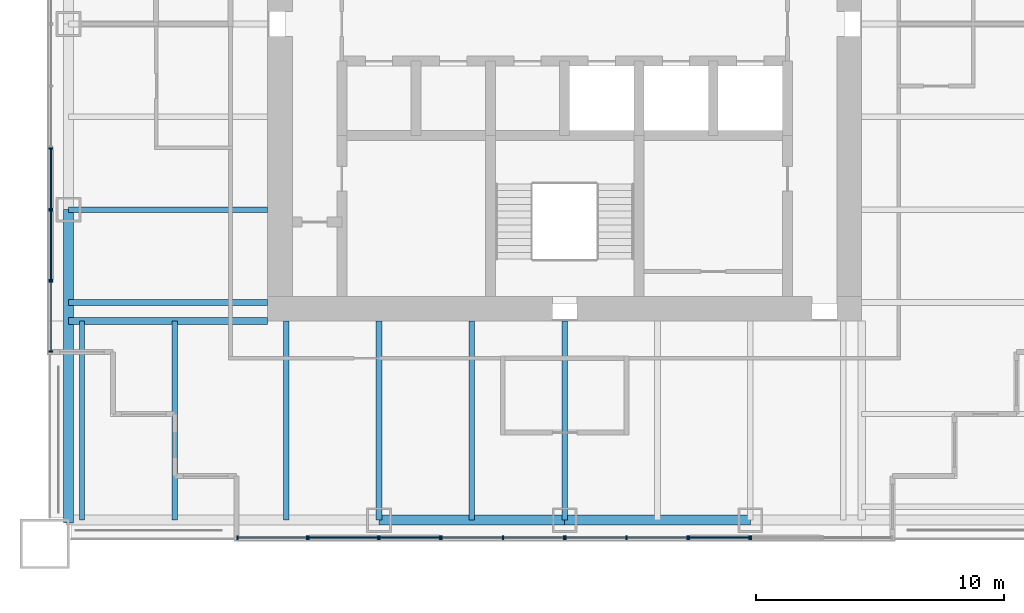
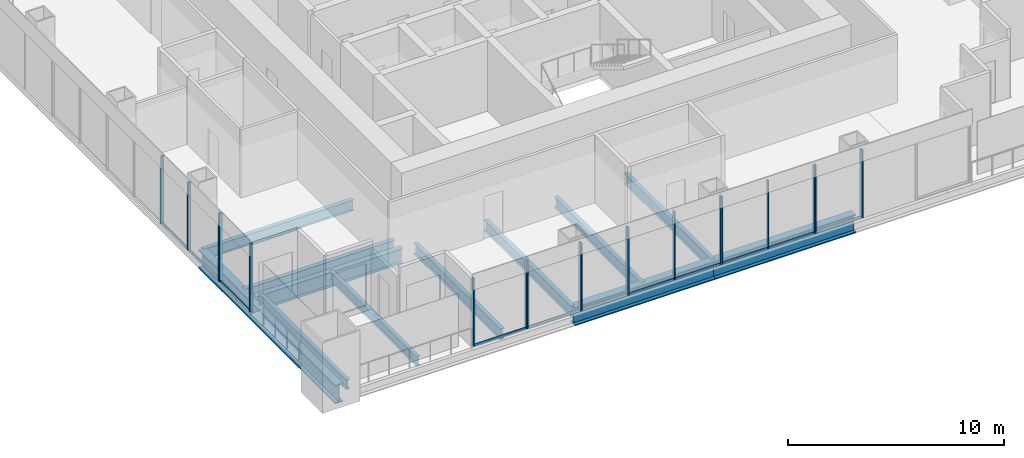
# One storey, part 2 of 14: 32 members, 12 beams, 10 elements without a shape of their own.
"""IFC4 building model written with IfcOpenShell, lengths in metres."""

from ifc_helpers import new_model, si_unit, direction, frame, origin, origin_2d, place, context, subcontext, project, spatial, rectangle, i_section, extrude, material, material_profile, profile_set, type_object, element, aggregate, save


model = new_model("IFC4")

# Units and contexts
model_context = context("Model", 3, precision=1e-05, world=origin(), true_north=direction((0.0, 1.0)))
body_context = subcontext(model_context, "Body", "Model", "MODEL_VIEW")
ifc_project = project(units=[si_unit("LENGTHUNIT", "METRE"), si_unit("AREAUNIT", "SQUARE_METRE"), si_unit("VOLUMEUNIT", "CUBIC_METRE"), si_unit("PLANEANGLEUNIT", "RADIAN"), si_unit("MASSUNIT", "GRAM", prefix="KILO")], contexts=[model_context])

# Site, building, storey
site_placement = place(None, origin())
site = spatial("IfcSite", under=ifc_project, at=site_placement, CompositionType="ELEMENT")
building_placement = place(site_placement, origin())
building = spatial("IfcBuilding", under=site, at=building_placement, Name="Tarangal Relay Tower", CompositionType="ELEMENT")
storey_placement = place(building_placement, frame((0.0, 0.0, 283.89990234375)))
storey = spatial("IfcBuildingStorey", under=building, at=storey_placement, Name="L62", CompositionType="ELEMENT", Elevation=283.89990234375)

# Beams
ifc_material_1 = material(Name="Steel ASTM A992", Category="steel")
ifc_material_profile_1 = material_profile(ifc_material_1, i_section(OverallWidth=0.209228515625, OverallDepth=0.533447265625, WebThickness=0.01025390625, FlangeThickness=0.015625, at=origin_2d()), Name="W21X62")
ifc_profile_set_1 = profile_set([ifc_material_profile_1], Name="Steel ASTM A992")
beam_type_1 = type_object("IfcBeamType", Name="Corner beam W21X62", PredefinedType="JOIST", material=ifc_profile_set_1)
for number, where, z_axis, x_axis, name in (
    (1, (-15.75, -12.0, -0.41650390625), (0.0, -1.0, 0.0), (1.0, 0.0, 0.0), "Corner beam CB12 S L62"),
    (2, (-19.5, -12.0, -0.41650390625), (0.0, -1.0, 0.0), (1.0, 0.0, 0.0), "Corner beam CB12 S L62"),
):
    element("IfcBeam", number, at=place(storey_placement, frame(where, z_axis=z_axis, x_axis=x_axis)), inside=storey, type_object=beam_type_1, Name=name, PredefinedType="JOIST", context=body_context, shape_type="SweptSolid", body=[
        extrude(i_section(OverallWidth=0.209228515625, OverallDepth=0.533447265625, WebThickness=0.01025390625, FlangeThickness=0.015625, at=origin_2d()), origin(), (0.0, 0.0, 1.0), 8.0400390625),
    ])
ifc_material_profile_2 = material_profile(ifc_material_1, i_section(OverallWidth=0.2919921875, OverallDepth=0.8408203125, WebThickness=0.0146484375, FlangeThickness=0.021728515625, at=origin_2d()), Name="W33X130")
ifc_profile_set_2 = profile_set([ifc_material_profile_2], Name="Steel ASTM A992")
beam_type_2 = type_object("IfcBeamType", Name="Corner girder W33X130", PredefinedType="BEAM", material=ifc_profile_set_2)
beam_1_placement = place(storey_placement, frame((-12.0, -12.0, -0.5703125), z_axis=(-1.0, 0.0, 0.0), x_axis=(0.0, -1.0, 0.0)))
element("IfcBeam", 3, at=beam_1_placement, inside=storey, type_object=beam_type_2, Name="Corner girder CG5 S L62", PredefinedType="BEAM", context=body_context, shape_type="SweptSolid", body=[
    extrude(i_section(OverallWidth=0.2919921875, OverallDepth=0.8408203125, WebThickness=0.0146484375, FlangeThickness=0.021728515625, at=origin_2d()), origin(), (0.0, 0.0, 1.0), 8.0400390625),
])
ifc_material_profile_3 = material_profile(ifc_material_1, i_section(OverallWidth=0.41162109375, OverallDepth=1.049072265625, WebThickness=0.033935546875, FlangeThickness=0.059814453125, at=origin_2d()), Name="W40X431")
ifc_profile_set_3 = profile_set([ifc_material_profile_3], Name="Steel ASTM A992")
beam_type_3 = type_object("IfcBeamType", Name="Edge girder W40X431", PredefinedType="SPANDREL", material=ifc_profile_set_3)
for number, where, z_axis, x_axis, name in (
    (4, (7.5, -20.0400390625, -0.67431640625), (-1.0, 0.0, 0.0), (0.0, -1.0, 0.0), "Edge girder EG1 S L62"),
    (5, (0.0, -20.0400390625, -0.67431640625), (-1.0, 0.0, 0.0), (0.0, -1.0, 0.0), "Edge girder EG1 S L62"),
):
    element("IfcBeam", number, at=place(storey_placement, frame(where, z_axis=z_axis, x_axis=x_axis)), inside=storey, type_object=beam_type_3, Name=name, PredefinedType="SPANDREL", context=body_context, shape_type="SweptSolid", body=[
        extrude(i_section(OverallWidth=0.41162109375, OverallDepth=1.049072265625, WebThickness=0.033935546875, FlangeThickness=0.059814453125, at=origin_2d()), origin(), (0.0, 0.0, 1.0), 7.5),
    ])
beam_2_placement = place(storey_placement, frame((-20.0400390625, -20.14990234375, -0.67431640625), z_axis=(0.0, 1.0, 0.0), x_axis=(-1.0, 0.0, 0.0)))
element("IfcBeam", 6, at=beam_2_placement, inside=storey, type_object=beam_type_3, Name="Edge girder EG1 W L62", PredefinedType="SPANDREL", context=body_context, shape_type="SweptSolid", body=[
    extrude(i_section(OverallWidth=0.41162109375, OverallDepth=1.049072265625, WebThickness=0.033935546875, FlangeThickness=0.059814453125, at=origin_2d()), origin(), (0.0, 0.0, 1.0), 12.64990234375),
])
ifc_material_profile_4 = material_profile(ifc_material_1, i_section(OverallWidth=0.228271484375, OverallDepth=0.607177734375, WebThickness=0.01123046875, FlangeThickness=0.017333984375, at=origin_2d()), Name="W24X76")
ifc_profile_set_4 = profile_set([ifc_material_profile_4], Name="Steel ASTM A992")
beam_type_4 = type_object("IfcBeamType", Name="Floor beam W24X76", PredefinedType="BEAM", material=ifc_profile_set_4)
for number, where, z_axis, x_axis, name in (
    (7, (0.0, -12.0, -0.453369140625), (0.0, -1.0, 0.0), (1.0, 0.0, 0.0), "Floor beam RB5 S L62"),
    (8, (-3.75, -12.0, -0.453369140625), (0.0, -1.0, 0.0), (1.0, 0.0, 0.0), "Floor beam RB5 S L62"),
    (9, (-7.5, -12.0, -0.453369140625), (0.0, -1.0, 0.0), (1.0, 0.0, 0.0), "Floor beam RB5 S L62"),
    (10, (-11.25, -12.0, -0.453369140625), (0.0, -1.0, 0.0), (1.0, 0.0, 0.0), "Floor beam RB5 S L62"),
    (11, (-12.0, -11.25, -0.453369140625), (-1.0, 0.0, 0.0), (0.0, -1.0, 0.0), "Floor beam RB5 W L62"),
    (12, (-12.0, -7.5, -0.453369140625), (-1.0, 0.0, 0.0), (0.0, -1.0, 0.0), "Floor beam RB5 W L62"),
):
    element("IfcBeam", number, at=place(storey_placement, frame(where, z_axis=z_axis, x_axis=x_axis)), inside=storey, type_object=beam_type_4, Name=name, PredefinedType="BEAM", context=body_context, shape_type="SweptSolid", body=[
        extrude(i_section(OverallWidth=0.228271484375, OverallDepth=0.607177734375, WebThickness=0.01123046875, FlangeThickness=0.017333984375, at=origin_2d()), origin(), (0.0, 0.0, 1.0), 8.0400390625),
    ])

# Curtain wall, members
ifc_material_2 = material(Name="Unitised curtain wall, dark glass and black aluminium", Category="aluminium")
curtain_wall_type_1 = type_object("IfcCurtainWallType", Name="Curtain wall CW-B", PredefinedType="USERDEFINED", material=ifc_material_2)
curtain_wall_1_placement = place(storey_placement, origin())
curtain_wall_1 = element("IfcCurtainWall", 13, at=curtain_wall_1_placement, inside=storey, type_object=curtain_wall_type_1, Name="Curtain wall CW-B S facade L62", ObjectType="UNITISED CURTAIN WALL", PredefinedType="USERDEFINED")
ifc_material_3 = material(Name="Black anodised aluminium mullion", Category="aluminium")
ifc_material_profile_5 = material_profile(ifc_material_3, rectangle(XDim=0.159912109375, YDim=0.06005859375, at=origin_2d()), Name="CW-BM 60X160")
ifc_profile_set_5 = profile_set([ifc_material_profile_5], Name="Black anodised aluminium mullion")
member_type_1 = type_object("IfcMemberType", Name="Mullion CW-B 60 x 160", PredefinedType="MULLION", material=ifc_profile_set_5)
member_1_placement = place(storey_placement, frame((4.969970703125, -20.75, 0.0), z_axis=(0.0, 0.0, 1.0), x_axis=(0.0, -1.0, 0.0)))
member_1 = element("IfcMember", 14, at=member_1_placement, type_object=member_type_1, Name="CW-B mullion 1", PredefinedType="MULLION", context=body_context, shape_type="SweptSolid", body=[
    extrude(rectangle(XDim=0.159912109375, YDim=0.06005859375, at=origin_2d()), origin(), (0.0, 0.0, 1.0), 3.85009765625),
])
member_2_placement = place(storey_placement, frame((2.5, -20.75, 0.0), z_axis=(0.0, 0.0, 1.0), x_axis=(0.0, -1.0, 0.0)))
member_2 = element("IfcMember", 15, at=member_2_placement, type_object=member_type_1, Name="CW-B mullion 2", PredefinedType="MULLION", context=body_context, shape_type="SweptSolid", body=[
    extrude(rectangle(XDim=0.159912109375, YDim=0.06005859375, at=origin_2d()), origin(), (0.0, 0.0, 1.0), 3.85009765625),
])
member_3_placement = place(storey_placement, frame((0.030029296875, -20.75, 0.0), z_axis=(0.0, 0.0, 1.0), x_axis=(0.0, -1.0, 0.0)))
member_3 = element("IfcMember", 16, at=member_3_placement, type_object=member_type_1, Name="CW-B mullion 3", PredefinedType="MULLION", context=body_context, shape_type="SweptSolid", body=[
    extrude(rectangle(XDim=0.159912109375, YDim=0.06005859375, at=origin_2d()), origin(), (0.0, 0.0, 1.0), 3.85009765625),
])

curtain_wall_2_placement = place(storey_placement, origin())
curtain_wall_2 = element("IfcCurtainWall", 17, at=curtain_wall_2_placement, inside=storey, type_object=curtain_wall_type_1, Name="Curtain wall CW-B S facade L62", ObjectType="UNITISED CURTAIN WALL", PredefinedType="USERDEFINED")
member_4_placement = place(storey_placement, frame((-0.030029296875, -20.75, 0.0), z_axis=(0.0, 0.0, 1.0), x_axis=(0.0, -1.0, 0.0)))
member_4 = element("IfcMember", 18, at=member_4_placement, type_object=member_type_1, Name="CW-B mullion 1", PredefinedType="MULLION", context=body_context, shape_type="SweptSolid", body=[
    extrude(rectangle(XDim=0.159912109375, YDim=0.06005859375, at=origin_2d()), origin(), (0.0, 0.0, 1.0), 3.85009765625),
])
member_5_placement = place(storey_placement, frame((-2.5, -20.75, 0.0), z_axis=(0.0, 0.0, 1.0), x_axis=(0.0, -1.0, 0.0)))
member_5 = element("IfcMember", 19, at=member_5_placement, type_object=member_type_1, Name="CW-B mullion 2", PredefinedType="MULLION", context=body_context, shape_type="SweptSolid", body=[
    extrude(rectangle(XDim=0.159912109375, YDim=0.06005859375, at=origin_2d()), origin(), (0.0, 0.0, 1.0), 3.85009765625),
])
member_6_placement = place(storey_placement, frame((-4.969970703125, -20.75, 0.0), z_axis=(0.0, 0.0, 1.0), x_axis=(0.0, -1.0, 0.0)))
member_6 = element("IfcMember", 20, at=member_6_placement, type_object=member_type_1, Name="CW-B mullion 3", PredefinedType="MULLION", context=body_context, shape_type="SweptSolid", body=[
    extrude(rectangle(XDim=0.159912109375, YDim=0.06005859375, at=origin_2d()), origin(), (0.0, 0.0, 1.0), 3.85009765625),
])

curtain_wall_3_placement = place(storey_placement, origin())
curtain_wall_3 = element("IfcCurtainWall", 21, at=curtain_wall_3_placement, inside=storey, type_object=curtain_wall_type_1, Name="Curtain wall CW-B S facade L62", ObjectType="UNITISED CURTAIN WALL", PredefinedType="USERDEFINED")
member_7_placement = place(storey_placement, frame((-10.405029296875, -20.75, 0.0), z_axis=(0.0, 0.0, 1.0), x_axis=(0.0, -1.0, 0.0)))
member_7 = element("IfcMember", 22, at=member_7_placement, type_object=member_type_1, Name="CW-B mullion 1", PredefinedType="MULLION", context=body_context, shape_type="SweptSolid", body=[
    extrude(rectangle(XDim=0.159912109375, YDim=0.06005859375, at=origin_2d()), origin(), (0.0, 0.0, 1.0), 3.85009765625),
])
member_8_placement = place(storey_placement, frame((-13.219970703125, -20.75, 0.0), z_axis=(0.0, 0.0, 1.0), x_axis=(0.0, -1.0, 0.0)))
member_8 = element("IfcMember", 23, at=member_8_placement, type_object=member_type_1, Name="CW-B mullion 2", PredefinedType="MULLION", context=body_context, shape_type="SweptSolid", body=[
    extrude(rectangle(XDim=0.159912109375, YDim=0.06005859375, at=origin_2d()), origin(), (0.0, 0.0, 1.0), 3.85009765625),
])

curtain_wall_4_placement = place(storey_placement, origin())
curtain_wall_4 = element("IfcCurtainWall", 24, at=curtain_wall_4_placement, inside=storey, type_object=curtain_wall_type_1, Name="Curtain wall CW-B W facade L62", ObjectType="UNITISED CURTAIN WALL", PredefinedType="USERDEFINED")
member_9_placement = place(storey_placement, frame((-20.75, -13.219970703125, 0.0), z_axis=(0.0, 0.0, 1.0), x_axis=(-1.0, 0.0, 0.0)))
member_9 = element("IfcMember", 25, at=member_9_placement, type_object=member_type_1, Name="CW-B mullion 1", PredefinedType="MULLION", context=body_context, shape_type="SweptSolid", body=[
    extrude(rectangle(XDim=0.159912109375, YDim=0.06005859375, at=origin_2d()), origin(), (0.0, 0.0, 1.0), 3.85009765625),
])
member_10_placement = place(storey_placement, frame((-20.75, -10.405029296875, 0.0), z_axis=(0.0, 0.0, 1.0), x_axis=(-1.0, 0.0, 0.0)))
member_10 = element("IfcMember", 26, at=member_10_placement, type_object=member_type_1, Name="CW-B mullion 2", PredefinedType="MULLION", context=body_context, shape_type="SweptSolid", body=[
    extrude(rectangle(XDim=0.159912109375, YDim=0.06005859375, at=origin_2d()), origin(), (0.0, 0.0, 1.0), 3.85009765625),
])

# Curtain wall, member
ifc_material_4 = material(Name="Unitised curtain wall frame, black aluminium, with metal clad infill walls", Category="aluminium")
curtain_wall_type_2 = type_object("IfcCurtainWallType", Name="Curtain wall CW-BO", PredefinedType="USERDEFINED", material=ifc_material_4)
curtain_wall_5_placement = place(storey_placement, origin())
curtain_wall_5 = element("IfcCurtainWall", 27, at=curtain_wall_5_placement, inside=storey, type_object=curtain_wall_type_2, Name="Curtain wall CW-BO S facade L62", ObjectType="UNITISED CURTAIN WALL", PredefinedType="USERDEFINED")
ifc_material_profile_6 = material_profile(ifc_material_3, rectangle(XDim=0.159912109375, YDim=0.06005859375, at=origin_2d()), Name="CW-BOM 60X160")
ifc_profile_set_6 = profile_set([ifc_material_profile_6], Name="Black anodised aluminium mullion")
member_type_2 = type_object("IfcMemberType", Name="Mullion CW-BO 60 x 160", PredefinedType="MULLION", material=ifc_profile_set_6)
member_11_placement = place(storey_placement, frame((7.530029296875, -20.75, 0.0), z_axis=(0.0, 0.0, 1.0), x_axis=(0.0, -1.0, 0.0)))
member_11 = element("IfcMember", 28, at=member_11_placement, type_object=member_type_2, Name="CW-BO mullion 2", PredefinedType="MULLION", context=body_context, shape_type="SweptSolid", body=[
    extrude(rectangle(XDim=0.159912109375, YDim=0.06005859375, at=origin_2d()), origin(), (0.0, 0.0, 1.0), 3.85009765625),
])
aggregate(curtain_wall_5, [member_11])

# Curtain wall, members
curtain_wall_6_placement = place(storey_placement, origin())
curtain_wall_6 = element("IfcCurtainWall", 29, at=curtain_wall_6_placement, inside=storey, type_object=curtain_wall_type_2, Name="Curtain wall CW-BO S facade L62", ObjectType="UNITISED CURTAIN WALL", PredefinedType="USERDEFINED")
member_12_placement = place(storey_placement, frame((7.469970703125, -20.75, 0.0), z_axis=(0.0, 0.0, 1.0), x_axis=(0.0, -1.0, 0.0)))
member_12 = element("IfcMember", 30, at=member_12_placement, type_object=member_type_2, Name="CW-BO mullion 1", PredefinedType="MULLION", context=body_context, shape_type="SweptSolid", body=[
    extrude(rectangle(XDim=0.159912109375, YDim=0.06005859375, at=origin_2d()), origin(), (0.0, 0.0, 1.0), 3.85009765625),
])
member_13_placement = place(storey_placement, frame((5.030029296875, -20.75, 0.0), z_axis=(0.0, 0.0, 1.0), x_axis=(0.0, -1.0, 0.0)))
member_13 = element("IfcMember", 31, at=member_13_placement, type_object=member_type_2, Name="CW-BO mullion 2", PredefinedType="MULLION", context=body_context, shape_type="SweptSolid", body=[
    extrude(rectangle(XDim=0.159912109375, YDim=0.06005859375, at=origin_2d()), origin(), (0.0, 0.0, 1.0), 3.85009765625),
])

curtain_wall_7_placement = place(storey_placement, origin())
curtain_wall_7 = element("IfcCurtainWall", 32, at=curtain_wall_7_placement, inside=storey, type_object=curtain_wall_type_2, Name="Curtain wall CW-BO S facade L62", ObjectType="UNITISED CURTAIN WALL", PredefinedType="USERDEFINED")
member_14_placement = place(storey_placement, frame((-5.030029296875, -20.75, 0.0), z_axis=(0.0, 0.0, 1.0), x_axis=(0.0, -1.0, 0.0)))
member_14 = element("IfcMember", 33, at=member_14_placement, type_object=member_type_2, Name="CW-BO mullion 1", PredefinedType="MULLION", context=body_context, shape_type="SweptSolid", body=[
    extrude(rectangle(XDim=0.159912109375, YDim=0.06005859375, at=origin_2d()), origin(), (0.0, 0.0, 1.0), 3.85009765625),
])
member_15_placement = place(storey_placement, frame((-7.469970703125, -20.75, 0.0), z_axis=(0.0, 0.0, 1.0), x_axis=(0.0, -1.0, 0.0)))
member_15 = element("IfcMember", 34, at=member_15_placement, type_object=member_type_2, Name="CW-BO mullion 2", PredefinedType="MULLION", context=body_context, shape_type="SweptSolid", body=[
    extrude(rectangle(XDim=0.159912109375, YDim=0.06005859375, at=origin_2d()), origin(), (0.0, 0.0, 1.0), 3.85009765625),
])

curtain_wall_8_placement = place(storey_placement, origin())
curtain_wall_8 = element("IfcCurtainWall", 35, at=curtain_wall_8_placement, inside=storey, type_object=curtain_wall_type_2, Name="Curtain wall CW-BO S facade L62", ObjectType="UNITISED CURTAIN WALL", PredefinedType="USERDEFINED")
member_16_placement = place(storey_placement, frame((-7.530029296875, -20.75, 0.0), z_axis=(0.0, 0.0, 1.0), x_axis=(0.0, -1.0, 0.0)))
member_16 = element("IfcMember", 36, at=member_16_placement, type_object=member_type_2, Name="CW-BO mullion 1", PredefinedType="MULLION", context=body_context, shape_type="SweptSolid", body=[
    extrude(rectangle(XDim=0.159912109375, YDim=0.06005859375, at=origin_2d()), origin(), (0.0, 0.0, 1.0), 3.85009765625),
])
member_17_placement = place(storey_placement, frame((-10.344970703125, -20.75, 0.0), z_axis=(0.0, 0.0, 1.0), x_axis=(0.0, -1.0, 0.0)))
member_17 = element("IfcMember", 37, at=member_17_placement, type_object=member_type_2, Name="CW-BO mullion 2", PredefinedType="MULLION", context=body_context, shape_type="SweptSolid", body=[
    extrude(rectangle(XDim=0.159912109375, YDim=0.06005859375, at=origin_2d()), origin(), (0.0, 0.0, 1.0), 3.85009765625),
])

curtain_wall_9_placement = place(storey_placement, origin())
curtain_wall_9 = element("IfcCurtainWall", 38, at=curtain_wall_9_placement, inside=storey, type_object=curtain_wall_type_2, Name="Curtain wall CW-BO W facade L62", ObjectType="UNITISED CURTAIN WALL", PredefinedType="USERDEFINED")
member_18_placement = place(storey_placement, frame((-20.75, -10.344970703125, 0.0), z_axis=(0.0, 0.0, 1.0), x_axis=(-1.0, 0.0, 0.0)))
member_18 = element("IfcMember", 39, at=member_18_placement, type_object=member_type_2, Name="CW-BO mullion 1", PredefinedType="MULLION", context=body_context, shape_type="SweptSolid", body=[
    extrude(rectangle(XDim=0.159912109375, YDim=0.06005859375, at=origin_2d()), origin(), (0.0, 0.0, 1.0), 3.85009765625),
])
member_19_placement = place(storey_placement, frame((-20.75, -7.530029296875, 0.0), z_axis=(0.0, 0.0, 1.0), x_axis=(-1.0, 0.0, 0.0)))
member_19 = element("IfcMember", 40, at=member_19_placement, type_object=member_type_2, Name="CW-BO mullion 2", PredefinedType="MULLION", context=body_context, shape_type="SweptSolid", body=[
    extrude(rectangle(XDim=0.159912109375, YDim=0.06005859375, at=origin_2d()), origin(), (0.0, 0.0, 1.0), 3.85009765625),
])

curtain_wall_10_placement = place(storey_placement, origin())
curtain_wall_10 = element("IfcCurtainWall", 41, at=curtain_wall_10_placement, inside=storey, type_object=curtain_wall_type_2, Name="Curtain wall CW-BO W facade L62", ObjectType="UNITISED CURTAIN WALL", PredefinedType="USERDEFINED")
member_20_placement = place(storey_placement, frame((-20.75, -7.469970703125, 0.0), z_axis=(0.0, 0.0, 1.0), x_axis=(-1.0, 0.0, 0.0)))
member_20 = element("IfcMember", 42, at=member_20_placement, type_object=member_type_2, Name="CW-BO mullion 1", PredefinedType="MULLION", context=body_context, shape_type="SweptSolid", body=[
    extrude(rectangle(XDim=0.159912109375, YDim=0.06005859375, at=origin_2d()), origin(), (0.0, 0.0, 1.0), 3.85009765625),
])
member_21_placement = place(storey_placement, frame((-20.75, -5.030029296875, 0.0), z_axis=(0.0, 0.0, 1.0), x_axis=(-1.0, 0.0, 0.0)))
member_21 = element("IfcMember", 43, at=member_21_placement, type_object=member_type_2, Name="CW-BO mullion 2", PredefinedType="MULLION", context=body_context, shape_type="SweptSolid", body=[
    extrude(rectangle(XDim=0.159912109375, YDim=0.06005859375, at=origin_2d()), origin(), (0.0, 0.0, 1.0), 3.85009765625),
])

# Member
ifc_material_5 = material(Name="Black anodised aluminium transom", Category="aluminium")
ifc_material_profile_7 = material_profile(ifc_material_5, rectangle(XDim=0.06005859375, YDim=0.1298828125, at=origin_2d()), Name="CW-BT 60X130")
ifc_profile_set_7 = profile_set([ifc_material_profile_7], Name="Black anodised aluminium transom")
member_type_3 = type_object("IfcMemberType", Name="Transom CW-B 60 x 130", PredefinedType="USERDEFINED", material=ifc_profile_set_7)
member_22_placement = place(storey_placement, frame((4.93994140625, -20.75, 0.030029296875), z_axis=(-1.0, 0.0, 0.0), x_axis=(0.0, -1.0, 0.0)))
member_22 = element("IfcMember", 44, at=member_22_placement, type_object=member_type_3, Name="CW-B transom 1.1", ObjectType="TRANSOM", PredefinedType="USERDEFINED", context=body_context, shape_type="SweptSolid", body=[
    extrude(rectangle(XDim=0.06005859375, YDim=0.1298828125, at=origin_2d()), origin(), (0.0, 0.0, 1.0), 2.409912109375),
])

member_23_placement = place(storey_placement, frame((2.469970703125, -20.75, 0.030029296875), z_axis=(-1.0, 0.0, 0.0), x_axis=(0.0, -1.0, 0.0)))
member_23 = element("IfcMember", 45, at=member_23_placement, type_object=member_type_3, Name="CW-B transom 2.1", ObjectType="TRANSOM", PredefinedType="USERDEFINED", context=body_context, shape_type="SweptSolid", body=[
    extrude(rectangle(XDim=0.06005859375, YDim=0.1298828125, at=origin_2d()), origin(), (0.0, 0.0, 1.0), 2.409912109375),
])

aggregate(curtain_wall_1, [member_1, member_2, member_3, member_22, member_23])

member_24_placement = place(storey_placement, frame((-0.06005859375, -20.75, 0.030029296875), z_axis=(-1.0, 0.0, 0.0), x_axis=(0.0, -1.0, 0.0)))
member_24 = element("IfcMember", 46, at=member_24_placement, type_object=member_type_3, Name="CW-B transom 1.1", ObjectType="TRANSOM", PredefinedType="USERDEFINED", context=body_context, shape_type="SweptSolid", body=[
    extrude(rectangle(XDim=0.06005859375, YDim=0.1298828125, at=origin_2d()), origin(), (0.0, 0.0, 1.0), 2.409912109375),
])

member_25_placement = place(storey_placement, frame((-2.530029296875, -20.75, 0.030029296875), z_axis=(-1.0, 0.0, 0.0), x_axis=(0.0, -1.0, 0.0)))
member_25 = element("IfcMember", 47, at=member_25_placement, type_object=member_type_3, Name="CW-B transom 2.1", ObjectType="TRANSOM", PredefinedType="USERDEFINED", context=body_context, shape_type="SweptSolid", body=[
    extrude(rectangle(XDim=0.06005859375, YDim=0.1298828125, at=origin_2d()), origin(), (0.0, 0.0, 1.0), 2.409912109375),
])

aggregate(curtain_wall_2, [member_4, member_5, member_6, member_24, member_25])

member_26_placement = place(storey_placement, frame((-10.43505859375, -20.75, 0.030029296875), z_axis=(-1.0, 0.0, 0.0), x_axis=(0.0, -1.0, 0.0)))
member_26 = element("IfcMember", 48, at=member_26_placement, type_object=member_type_3, Name="CW-B transom 1.1", ObjectType="TRANSOM", PredefinedType="USERDEFINED", context=body_context, shape_type="SweptSolid", body=[
    extrude(rectangle(XDim=0.06005859375, YDim=0.1298828125, at=origin_2d()), origin(), (0.0, 0.0, 1.0), 2.7548828125),
])

aggregate(curtain_wall_3, [member_7, member_8, member_26])

member_27_placement = place(storey_placement, frame((-20.75, -13.18994140625, 0.030029296875), z_axis=(0.0, 1.0, 0.0), x_axis=(-1.0, 0.0, 0.0)))
member_27 = element("IfcMember", 49, at=member_27_placement, type_object=member_type_3, Name="CW-B transom 1.1", ObjectType="TRANSOM", PredefinedType="USERDEFINED", context=body_context, shape_type="SweptSolid", body=[
    extrude(rectangle(XDim=0.06005859375, YDim=0.1298828125, at=origin_2d()), origin(), (0.0, 0.0, 1.0), 2.7548828125),
])

aggregate(curtain_wall_4, [member_9, member_10, member_27])

ifc_material_profile_8 = material_profile(ifc_material_5, rectangle(XDim=0.06005859375, YDim=0.1298828125, at=origin_2d()), Name="CW-BOT 60X130")
ifc_profile_set_8 = profile_set([ifc_material_profile_8], Name="Black anodised aluminium transom")
member_type_4 = type_object("IfcMemberType", Name="Transom CW-BO 60 x 130", PredefinedType="USERDEFINED", material=ifc_profile_set_8)
member_28_placement = place(storey_placement, frame((7.43994140625, -20.75, 0.030029296875), z_axis=(-1.0, 0.0, 0.0), x_axis=(0.0, -1.0, 0.0)))
member_28 = element("IfcMember", 50, at=member_28_placement, type_object=member_type_4, Name="CW-BO transom 1.1", ObjectType="TRANSOM", PredefinedType="USERDEFINED", context=body_context, shape_type="SweptSolid", body=[
    extrude(rectangle(XDim=0.06005859375, YDim=0.1298828125, at=origin_2d()), origin(), (0.0, 0.0, 1.0), 2.3798828125),
])

aggregate(curtain_wall_6, [member_12, member_13, member_28])

member_29_placement = place(storey_placement, frame((-5.06005859375, -20.75, 0.030029296875), z_axis=(-1.0, 0.0, 0.0), x_axis=(0.0, -1.0, 0.0)))
member_29 = element("IfcMember", 51, at=member_29_placement, type_object=member_type_4, Name="CW-BO transom 1.1", ObjectType="TRANSOM", PredefinedType="USERDEFINED", context=body_context, shape_type="SweptSolid", body=[
    extrude(rectangle(XDim=0.06005859375, YDim=0.1298828125, at=origin_2d()), origin(), (0.0, 0.0, 1.0), 2.3798828125),
])

aggregate(curtain_wall_7, [member_14, member_15, member_29])

member_30_placement = place(storey_placement, frame((-7.56005859375, -20.75, 0.030029296875), z_axis=(-1.0, 0.0, 0.0), x_axis=(0.0, -1.0, 0.0)))
member_30 = element("IfcMember", 52, at=member_30_placement, type_object=member_type_4, Name="CW-BO transom 1.1", ObjectType="TRANSOM", PredefinedType="USERDEFINED", context=body_context, shape_type="SweptSolid", body=[
    extrude(rectangle(XDim=0.06005859375, YDim=0.1298828125, at=origin_2d()), origin(), (0.0, 0.0, 1.0), 2.7548828125),
])

aggregate(curtain_wall_8, [member_16, member_17, member_30])

member_31_placement = place(storey_placement, frame((-20.75, -10.31494140625, 0.030029296875), z_axis=(0.0, 1.0, 0.0), x_axis=(-1.0, 0.0, 0.0)))
member_31 = element("IfcMember", 53, at=member_31_placement, type_object=member_type_4, Name="CW-BO transom 1.1", ObjectType="TRANSOM", PredefinedType="USERDEFINED", context=body_context, shape_type="SweptSolid", body=[
    extrude(rectangle(XDim=0.06005859375, YDim=0.1298828125, at=origin_2d()), origin(), (0.0, 0.0, 1.0), 2.7548828125),
])

aggregate(curtain_wall_9, [member_18, member_19, member_31])

member_32_placement = place(storey_placement, frame((-20.75, -7.43994140625, 0.030029296875), z_axis=(0.0, 1.0, 0.0), x_axis=(-1.0, 0.0, 0.0)))
member_32 = element("IfcMember", 54, at=member_32_placement, type_object=member_type_4, Name="CW-BO transom 1.1", ObjectType="TRANSOM", PredefinedType="USERDEFINED", context=body_context, shape_type="SweptSolid", body=[
    extrude(rectangle(XDim=0.06005859375, YDim=0.1298828125, at=origin_2d()), origin(), (0.0, 0.0, 1.0), 2.3798828125),
])

aggregate(curtain_wall_10, [member_20, member_21, member_32])

save(model, "model.ifc")
